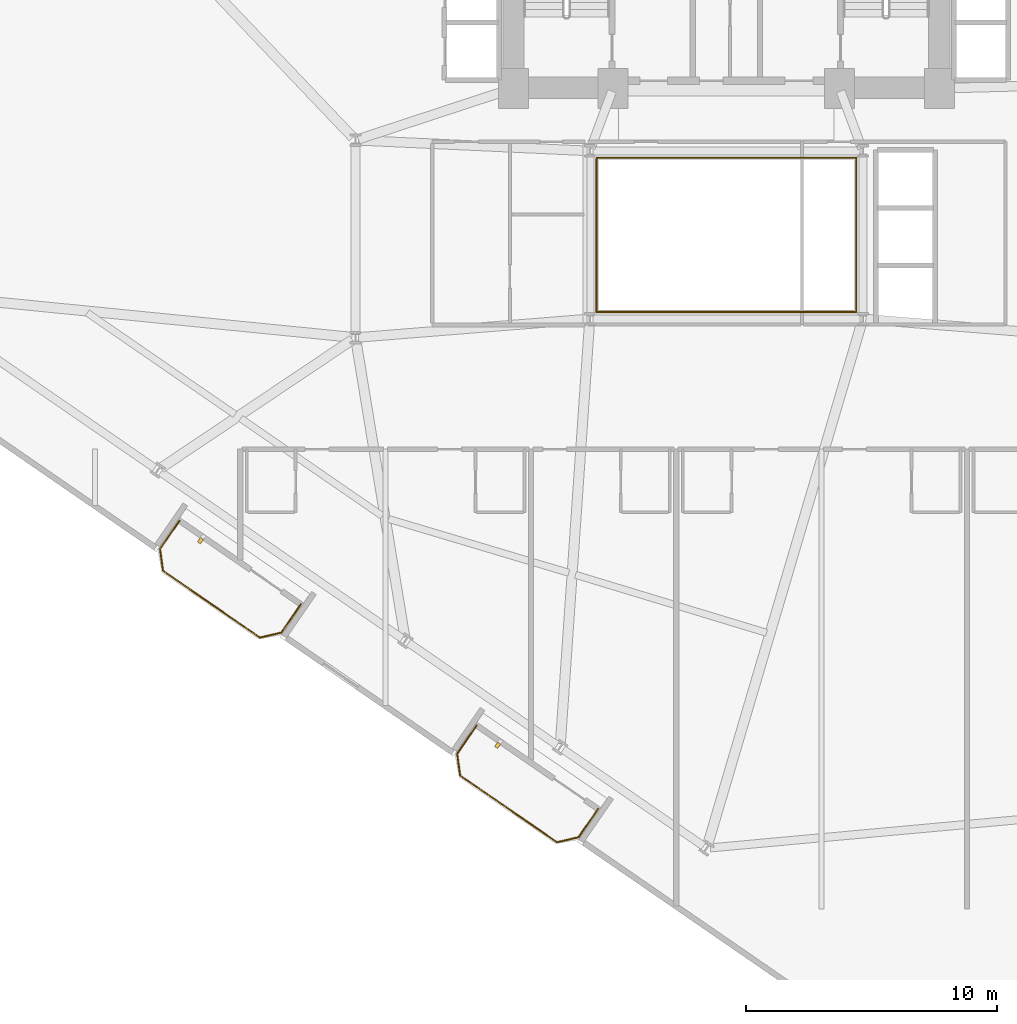
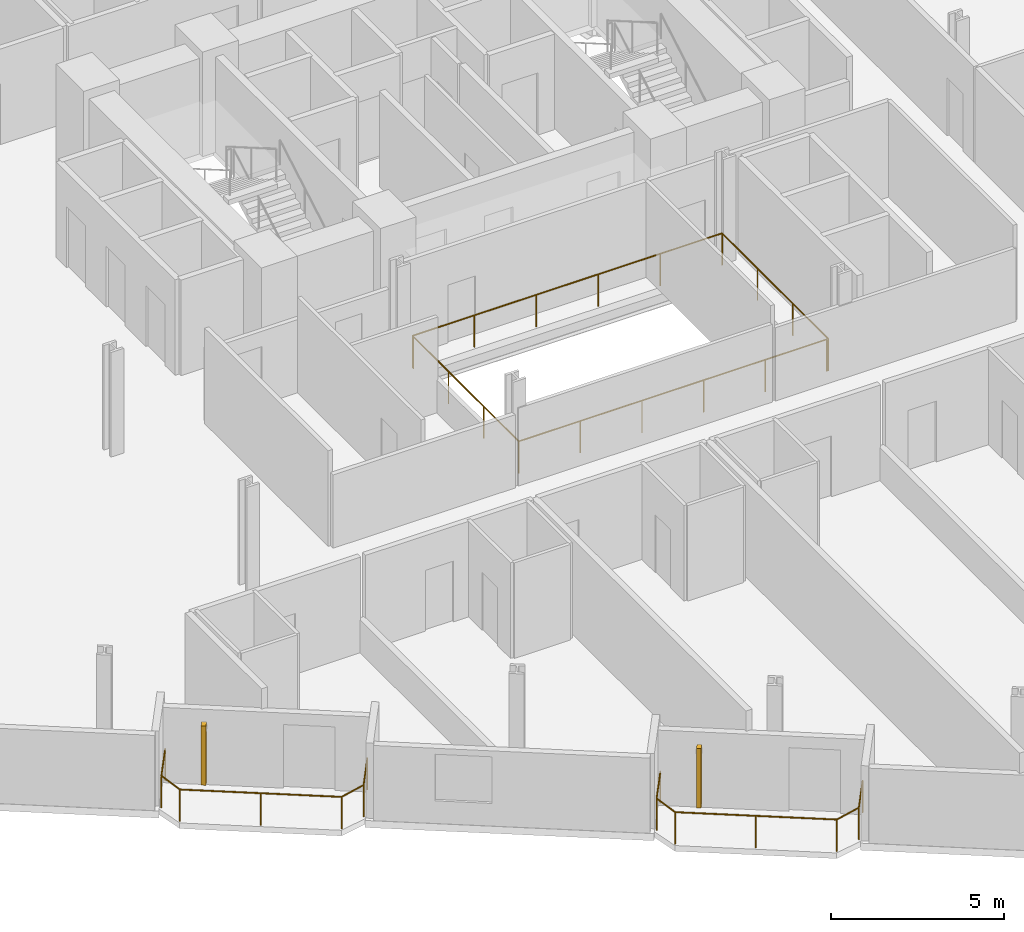
# One storey, part 22 of 24: 4 railings, 2 shading devices.
"""IFC4 building model written with IfcOpenShell, lengths in metres."""

from ifc_helpers import new_model, si_unit, direction, frame, origin, origin_2d, place, context, subcontext, project, spatial, rectangle, circle, extrude, source, transform, mapped, material, type_object, element, save


model = new_model("IFC4")

# Units and contexts
model_context = context("Model", 3, precision=1e-05, world=origin(), true_north=direction((0.0, 1.0)))
body_context = subcontext(model_context, "Body", "Model", "MODEL_VIEW")
ifc_project = project(units=[si_unit("LENGTHUNIT", "METRE"), si_unit("AREAUNIT", "SQUARE_METRE"), si_unit("VOLUMEUNIT", "CUBIC_METRE"), si_unit("PLANEANGLEUNIT", "RADIAN"), si_unit("MASSUNIT", "GRAM", prefix="KILO")], contexts=[model_context])

# Site, building, storey
site_placement = place(None, origin())
site = spatial("IfcSite", under=ifc_project, at=site_placement, CompositionType="ELEMENT")
building_placement = place(site_placement, origin())
building = spatial("IfcBuilding", under=site, at=building_placement, Name="Varnelok Gate Tower", CompositionType="ELEMENT")
storey_placement = place(building_placement, frame((0.0, 0.0, 67.699951171875)))
storey = spatial("IfcBuildingStorey", under=building, at=storey_placement, Name="L16", CompositionType="ELEMENT", Elevation=67.699951171875)

# Railings
ifc_material_1 = material(Name="Tempered Laminated Balustrade Glass", Category="glass")
railing_type_1 = type_object("IfcRailingType", Name="RL-ATR-GUARD1150", PredefinedType="GUARDRAIL", material=ifc_material_1)
railing_1_placement = place(storey_placement, frame((34.02001953125, 25.929931640625, 0.0)))
element("IfcRailing", 1, at=railing_1_placement, inside=storey, type_object=railing_type_1, Name="L16 Internal Atrium South-West Guardrail", PredefinedType="GUARDRAIL", context=body_context, shape_type="SweptSolid", body=[
    extrude(circle(Radius=0.02392578125, at=origin_2d()), frame((0.0, 0.0, 1.1259765625), z_axis=(0.0, -1.0, 0.0), x_axis=(1.0, 0.0, 0.0)), (0.0, 0.0, 1.0), 6.10986328125),
    extrude(circle(Radius=0.02392578125, at=origin_2d()), frame((0.0, -6.10986328125, 1.1259765625), z_axis=(1.0, 0.0, 0.0), x_axis=(0.0, 1.0, 0.0)), (0.0, 0.0, 1.0), 10.31005859375),
    extrude(circle(Radius=0.02099609375, at=origin_2d()), origin(), (0.0, 0.0, 1.0), 1.101806640625),
    extrude(circle(Radius=0.02099609375, at=origin_2d()), frame((0.0, -2.03662109375, 0.0)), (0.0, 0.0, 1.0), 1.101806640625),
    extrude(circle(Radius=0.02099609375, at=origin_2d()), frame((0.0, -4.0732421875, 0.0)), (0.0, 0.0, 1.0), 1.101806640625),
    extrude(circle(Radius=0.02099609375, at=origin_2d()), frame((0.0, -6.10986328125, 0.0)), (0.0, 0.0, 1.0), 1.101806640625),
    extrude(circle(Radius=0.02099609375, at=origin_2d()), frame((2.06201171875, -6.10986328125, 0.0)), (0.0, 0.0, 1.0), 1.101806640625),
    extrude(circle(Radius=0.02099609375, at=origin_2d()), frame((4.1240234375, -6.10986328125, 0.0)), (0.0, 0.0, 1.0), 1.101806640625),
    extrude(circle(Radius=0.02099609375, at=origin_2d()), frame((6.18603515625, -6.10986328125, 0.0)), (0.0, 0.0, 1.0), 1.101806640625),
    extrude(circle(Radius=0.02099609375, at=origin_2d()), frame((8.248046875, -6.10986328125, 0.0)), (0.0, 0.0, 1.0), 1.101806640625),
    extrude(circle(Radius=0.02099609375, at=origin_2d()), frame((10.31005859375, -6.10986328125, 0.0)), (0.0, 0.0, 1.0), 1.101806640625),
])
railing_2_placement = place(storey_placement, frame((44.3798828125, 19.820068359375, 0.0)))
element("IfcRailing", 2, at=railing_2_placement, inside=storey, type_object=railing_type_1, Name="L16 Internal Atrium North-East Guardrail", PredefinedType="GUARDRAIL", context=body_context, shape_type="SweptSolid", body=[
    extrude(circle(Radius=0.02392578125, at=origin_2d()), frame((0.0, 0.0, 1.1259765625), z_axis=(0.0, 1.0, 0.0), x_axis=(-1.0, 0.0, 0.0)), (0.0, 0.0, 1.0), 6.159912109375),
    extrude(circle(Radius=0.02392578125, at=origin_2d()), frame((0.0, 6.159912109375, 1.1259765625), z_axis=(-1.0, 0.0, 0.0), x_axis=(0.0, -1.0, 0.0)), (0.0, 0.0, 1.0), 10.35986328125),
    extrude(circle(Radius=0.02099609375, at=origin_2d()), origin(), (0.0, 0.0, 1.0), 1.101806640625),
    extrude(circle(Radius=0.02099609375, at=origin_2d()), frame((0.0, 2.05322265625, 0.0)), (0.0, 0.0, 1.0), 1.101806640625),
    extrude(circle(Radius=0.02099609375, at=origin_2d()), frame((0.0, 4.106689453125, 0.0)), (0.0, 0.0, 1.0), 1.101806640625),
    extrude(circle(Radius=0.02099609375, at=origin_2d()), frame((0.0, 6.159912109375, 0.0)), (0.0, 0.0, 1.0), 1.101806640625),
    extrude(circle(Radius=0.02099609375, at=origin_2d()), frame((-2.072021484375, 6.159912109375, 0.0)), (0.0, 0.0, 1.0), 1.101806640625),
    extrude(circle(Radius=0.02099609375, at=origin_2d()), frame((-4.14404296875, 6.159912109375, 0.0)), (0.0, 0.0, 1.0), 1.101806640625),
    extrude(circle(Radius=0.02099609375, at=origin_2d()), frame((-6.2158203125, 6.159912109375, 0.0)), (0.0, 0.0, 1.0), 1.101806640625),
    extrude(circle(Radius=0.02099609375, at=origin_2d()), frame((-8.287841796875, 6.159912109375, 0.0)), (0.0, 0.0, 1.0), 1.101806640625),
    extrude(circle(Radius=0.02099609375, at=origin_2d()), frame((-10.35986328125, 6.159912109375, 0.0)), (0.0, 0.0, 1.0), 1.101806640625),
])
ifc_material_2 = material(Name="Low-E Laminated Double Glazing IGU", Category="glass")
railing_type_2 = type_object("IfcRailingType", Name="RL-BALC-1150", PredefinedType="BALUSTRADE", material=ifc_material_2)
railing_3_placement = place(storey_placement, frame((17.376708984375, 11.4931640625, 0.0)))
element("IfcRailing", 3, at=railing_3_placement, inside=storey, type_object=railing_type_2, Name="L16 South Terrace Balustrade 1", PredefinedType="BALUSTRADE", context=body_context, shape_type="SweptSolid", body=[
    extrude(circle(Radius=0.02392578125, at=origin_2d()), frame((0.0, 0.0, 1.1259765625), z_axis=(-0.567262263046, -0.823537203121, 0.0), x_axis=(0.823537203121, -0.567262263046, 0.0)), (0.0, 0.0, 1.0), 1.369873046875),
    extrude(circle(Radius=0.02392578125, at=origin_2d()), frame((-0.777099609375, -1.128173828125, 1.1259765625), z_axis=(0.133511834152, -0.991047218926, 0.0), x_axis=(0.991047218926, 0.133511834152, 0.0)), (0.0, 0.0, 1.0), 0.877685546875),
    extrude(circle(Radius=0.02392578125, at=origin_2d()), frame((-0.659912109375, -1.998046875, 1.1259765625), z_axis=(0.823523239622, -0.567282534371, 0.0), x_axis=(0.567282534371, 0.823523239622, 0.0)), (0.0, 0.0, 1.0), 4.699951171875),
    extrude(circle(Radius=0.02392578125, at=origin_2d()), frame((3.210693359375, -4.664306640625, 1.1259765625), z_axis=(0.973573806257, 0.228372598553, 0.0), x_axis=(-0.228372598553, 0.973573806257, 0.0)), (0.0, 0.0, 1.0), 0.877685546875),
    extrude(circle(Radius=0.02392578125, at=origin_2d()), frame((4.065185546875, -4.4638671875, 1.1259765625), z_axis=(0.56717901659, 0.823594538071, 0.0), x_axis=(-0.823594538071, 0.56717901659, 0.0)), (0.0, 0.0, 1.0), 1.3701171875),
    extrude(circle(Radius=0.02099609375, at=origin_2d()), origin(), (0.0, 0.0, 1.0), 1.101806640625),
    extrude(circle(Radius=0.02099609375, at=origin_2d()), frame((-0.777099609375, -1.128173828125, 0.0)), (0.0, 0.0, 1.0), 1.101806640625),
    extrude(circle(Radius=0.02099609375, at=origin_2d()), frame((-0.659912109375, -1.998046875, 0.0)), (0.0, 0.0, 1.0), 1.101806640625),
    extrude(circle(Radius=0.02099609375, at=origin_2d()), frame((1.275390625, -3.3310546875, 0.0)), (0.0, 0.0, 1.0), 1.101806640625),
    extrude(circle(Radius=0.02099609375, at=origin_2d()), frame((3.210693359375, -4.664306640625, 0.0)), (0.0, 0.0, 1.0), 1.101806640625),
    extrude(circle(Radius=0.02099609375, at=origin_2d()), frame((4.065185546875, -4.4638671875, 0.0)), (0.0, 0.0, 1.0), 1.101806640625),
    extrude(circle(Radius=0.02099609375, at=origin_2d()), frame((4.84228515625, -3.33544921875, 0.0)), (0.0, 0.0, 1.0), 1.101806640625),
])
railing_4_placement = place(storey_placement, frame((29.235595703125, 3.324462890625, 0.0)))
element("IfcRailing", 4, at=railing_4_placement, inside=storey, type_object=railing_type_2, Name="L16 South Terrace Balustrade 2", PredefinedType="BALUSTRADE", context=body_context, shape_type="SweptSolid", body=[
    extrude(circle(Radius=0.02392578125, at=origin_2d()), frame((0.0, 0.0, 1.1259765625), z_axis=(-0.567262263046, -0.823537203121, 0.0), x_axis=(0.823537203121, -0.567262263046, 0.0)), (0.0, 0.0, 1.0), 1.369873046875),
    extrude(circle(Radius=0.02392578125, at=origin_2d()), frame((-0.777099609375, -1.128173828125, 1.1259765625), z_axis=(0.133511834152, -0.991047218926, 0.0), x_axis=(0.991047218926, 0.133511834152, 0.0)), (0.0, 0.0, 1.0), 0.877685546875),
    extrude(circle(Radius=0.02392578125, at=origin_2d()), frame((-0.659912109375, -1.998046875, 1.1259765625), z_axis=(0.823523239622, -0.567282534371, 0.0), x_axis=(0.567282534371, 0.823523239622, 0.0)), (0.0, 0.0, 1.0), 4.699951171875),
    extrude(circle(Radius=0.02392578125, at=origin_2d()), frame((3.210693359375, -4.664306640625, 1.1259765625), z_axis=(0.973511928193, 0.228636229993, 0.0), x_axis=(-0.228636229993, 0.973511928193, 0.0)), (0.0, 0.0, 1.0), 0.877685546875),
    extrude(circle(Radius=0.02392578125, at=origin_2d()), frame((4.065185546875, -4.463623046875, 1.1259765625), z_axis=(0.567262263046, 0.823537203121, 0.0), x_axis=(-0.823537203121, 0.567262263046, 0.0)), (0.0, 0.0, 1.0), 1.369873046875),
    extrude(circle(Radius=0.02099609375, at=origin_2d()), origin(), (0.0, 0.0, 1.0), 1.101806640625),
    extrude(circle(Radius=0.02099609375, at=origin_2d()), frame((-0.777099609375, -1.128173828125, 0.0)), (0.0, 0.0, 1.0), 1.101806640625),
    extrude(circle(Radius=0.02099609375, at=origin_2d()), frame((-0.659912109375, -1.998046875, 0.0)), (0.0, 0.0, 1.0), 1.101806640625),
    extrude(circle(Radius=0.02099609375, at=origin_2d()), frame((1.275390625, -3.3310546875, 0.0)), (0.0, 0.0, 1.0), 1.101806640625),
    extrude(circle(Radius=0.02099609375, at=origin_2d()), frame((3.210693359375, -4.664306640625, 0.0)), (0.0, 0.0, 1.0), 1.101806640625),
    extrude(circle(Radius=0.02099609375, at=origin_2d()), frame((4.065185546875, -4.463623046875, 0.0)), (0.0, 0.0, 1.0), 1.101806640625),
    extrude(circle(Radius=0.02099609375, at=origin_2d()), frame((4.84228515625, -3.33544921875, 0.0)), (0.0, 0.0, 1.0), 1.101806640625),
])

# Shading devices
ifc_material_3 = material(Name="Glazed Architectural Terracotta Ceramic", Category="masonry")
shading_device_type = type_object("IfcShadingDeviceType", Name="SHD-TERRA-BAGUETTE", PredefinedType="USERDEFINED", material=ifc_material_3)
shared_shape = source(origin(), body_context, "Body", "SweptSolid", [
    extrude(rectangle(XDim=0.139892578125, YDim=0.219970703125, at=origin_2d()), origin(), (0.0, 0.0, 1.0), 2.10009765625),
])
for number, where, z_axis, x_axis, name in (
    (5, (18.21337890625, 10.6982421875, 0.10009765625), (0.0, 0.0, 1.0), (0.823532597628, -0.567268949127, 0.0), "L16 Terracotta Ceramic Baguette Sunscreen 1.1"),
    (6, (30.072265625, 2.529541015625, 0.10009765625), (0.0, 0.0, 1.0), (0.823532597628, -0.567268949127, 0.0), "L16 Terracotta Ceramic Baguette Sunscreen 2.1"),
):
    element("IfcShadingDevice", number, at=place(storey_placement, frame(where, z_axis=z_axis, x_axis=x_axis)), inside=storey, type_object=shading_device_type, Name=name, ObjectType="BAGUETTE", PredefinedType="USERDEFINED", context=body_context, shape_type="MappedRepresentation", body=[
        mapped(shared_shape, transform((0.0, 0.0, 0.0), scale=1.0)),
    ])

save(model, "model.ifc")
